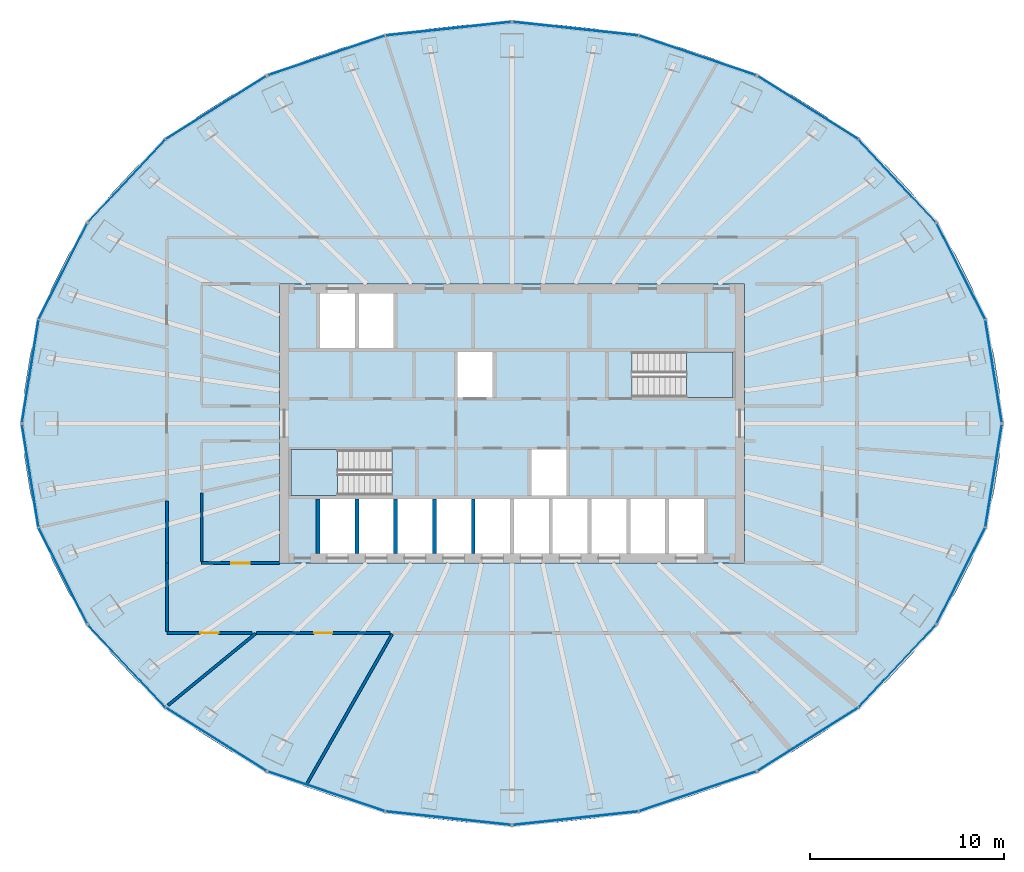
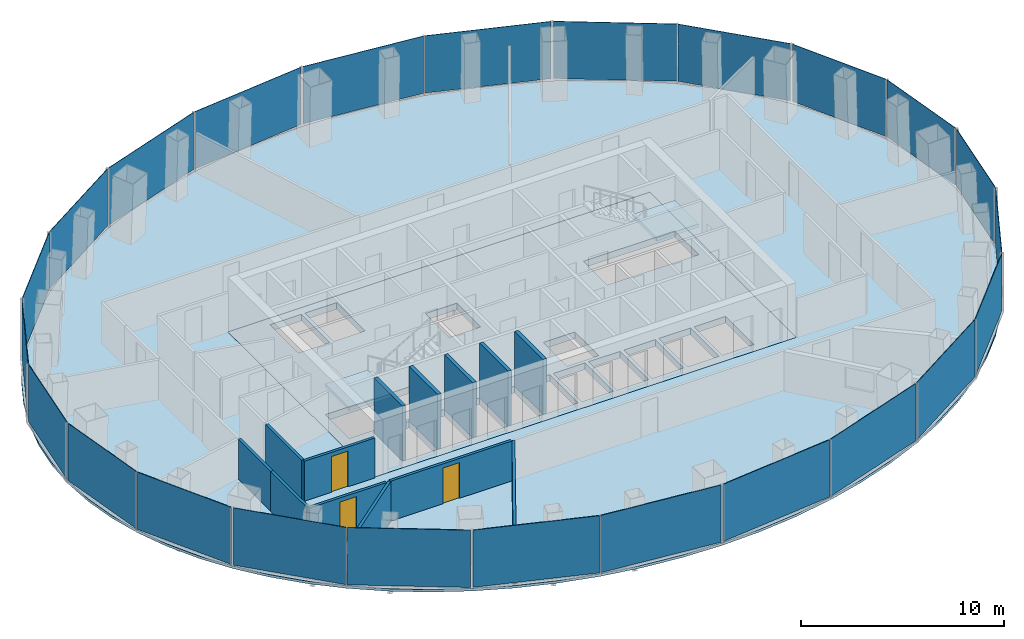
# One storey, part 7 of 11: 24 plates, 13 walls, 4 slabs, 3 doors, 3 openings, 14 elements without a shape of their own.
"""IFC4 building model written with IfcOpenShell, lengths in metres."""

from ifc_helpers import new_model, si_unit, direction, frame, frame_2d, origin, origin_2d, place, context, subcontext, project, spatial, polyline, rectangle, outline, extrude, material, layer, layer_set, type_object, element, fill, aggregate, save


model = new_model("IFC4")

# Units and contexts
model_context = context("Model", 3, precision=1e-05, world=origin(), true_north=direction((0.0, 1.0)))
body_context = subcontext(model_context, "Body", "Model", "MODEL_VIEW")
ifc_project = project(units=[si_unit("LENGTHUNIT", "METRE"), si_unit("AREAUNIT", "SQUARE_METRE"), si_unit("VOLUMEUNIT", "CUBIC_METRE"), si_unit("PLANEANGLEUNIT", "RADIAN"), si_unit("MASSUNIT", "GRAM", prefix="KILO")], contexts=[model_context])

# Site, building, storey
site_placement = place(None, origin())
site = spatial("IfcSite", under=ifc_project, at=site_placement, CompositionType="ELEMENT")
building_placement = place(site_placement, origin())
building = spatial("IfcBuilding", under=site, at=building_placement, Name="Siaravel Broadcast Tower", CompositionType="ELEMENT")
storey_placement = place(building_placement, frame((0.0, 0.0, 126.699951171875)))
storey = spatial("IfcBuildingStorey", under=building, at=storey_placement, Name="L30", CompositionType="ELEMENT", Elevation=126.699951171875)

# Curtain wall, plates
ifc_material_1 = material(Name="Aluminium 6063-T6", Category="aluminium")
ifc_layer_1 = layer(ifc_material_1, 0.199951171875)
ifc_layer_set_1 = layer_set([ifc_layer_1], Name="Aluminium 6063-T6")
curtain_wall_type = type_object("IfcCurtainWallType", Name="Unitised curtain wall, zone 2", PredefinedType="NOTDEFINED", material=ifc_layer_set_1)
curtain_wall_1_placement = place(storey_placement, origin())
curtain_wall_1 = element("IfcCurtainWall", 1, at=curtain_wall_1_placement, inside=storey, type_object=curtain_wall_type, Name="L30 Unitised curtain wall, zone 2 01", PredefinedType="NOTDEFINED")
ifc_material_2 = material(Name="Tinted laminated glass", Category="glass")
ifc_layer_2 = layer(ifc_material_2, 0.030029296875)
ifc_layer_set_2 = layer_set([ifc_layer_2], Name="Tinted laminated glass")
plate_type = type_object("IfcPlateType", Name="CW-Z2 glass panel", PredefinedType="CURTAIN_PANEL", material=ifc_layer_set_2)
plate_1_placement = place(storey_placement, frame((24.837646484375, 2.697265625, 0.110107421875), z_axis=(0.0, 0.0, 1.0), x_axis=(-0.158685611, 0.987329163, 0.0)))
plate_1 = element("IfcPlate", 2, at=plate_1_placement, type_object=plate_type, Name="CW-Z2 glass panel", PredefinedType="CURTAIN_PANEL", context=body_context, shape_type="SweptSolid", body=[
    extrude(rectangle(XDim=5.333740234375, YDim=0.030029296875, at=origin_2d()), origin(), (0.0, 0.0, 1.0), 3.43994140625),
])
plate_2_placement = place(storey_placement, frame((23.1533203125, 7.845947265625, 0.110107421875), z_axis=(0.0, 0.0, 1.0), x_axis=(-0.451261073, 0.892391979, 0.0)))
plate_2 = element("IfcPlate", 3, at=plate_2_placement, type_object=plate_type, Name="CW-Z2 glass panel", PredefinedType="CURTAIN_PANEL", context=body_context, shape_type="SweptSolid", body=[
    extrude(rectangle(XDim=5.500732421875, YDim=0.030029296875, at=origin_2d()), origin(), (0.0, 0.0, 1.0), 3.43994140625),
])
aggregate(curtain_wall_1, [plate_1, plate_2])

curtain_wall_2_placement = place(storey_placement, origin())
curtain_wall_2 = element("IfcCurtainWall", 4, at=curtain_wall_2_placement, inside=storey, type_object=curtain_wall_type, Name="L30 Unitised curtain wall, zone 2 02", PredefinedType="NOTDEFINED")
plate_3_placement = place(storey_placement, frame((19.86328125, 12.514404296875, 0.110107421875), z_axis=(0.0, 0.0, 1.0), x_axis=(-0.683655256, 0.729805105, 0.0)))
plate_3 = element("IfcPlate", 5, at=plate_3_placement, type_object=plate_type, Name="CW-Z2 glass panel", PredefinedType="CURTAIN_PANEL", context=body_context, shape_type="SweptSolid", body=[
    extrude(rectangle(XDim=5.77880859375, YDim=0.030029296875, at=origin_2d()), origin(), (0.0, 0.0, 1.0), 3.43994140625),
])
plate_4_placement = place(storey_placement, frame((15.2626953125, 16.282958984375, 0.110107421875), z_axis=(0.0, 0.0, 1.0), x_axis=(-0.846650632, 0.532149141, 0.0)))
plate_4 = element("IfcPlate", 6, at=plate_4_placement, type_object=plate_type, Name="CW-Z2 glass panel", PredefinedType="CURTAIN_PANEL", context=body_context, shape_type="SweptSolid", body=[
    extrude(rectangle(XDim=6.084228515625, YDim=0.030029296875, at=origin_2d()), origin(), (0.0, 0.0, 1.0), 3.43994140625),
])
aggregate(curtain_wall_2, [plate_3, plate_4])

curtain_wall_3_placement = place(storey_placement, origin())
curtain_wall_3 = element("IfcCurtainWall", 7, at=curtain_wall_3_placement, inside=storey, type_object=curtain_wall_type, Name="L30 Unitised curtain wall, zone 2 03", PredefinedType="NOTDEFINED")
plate_5_placement = place(storey_placement, frame((9.56982421875, 18.975341796875, 0.110107421875), z_axis=(0.0, 0.0, 1.0), x_axis=(-0.946977258, 0.321300596, 0.0)))
plate_5 = element("IfcPlate", 8, at=plate_5_placement, type_object=plate_type, Name="CW-Z2 glass panel", PredefinedType="CURTAIN_PANEL", context=body_context, shape_type="SweptSolid", body=[
    extrude(rectangle(XDim=6.337158203125, YDim=0.030029296875, at=origin_2d()), origin(), (0.0, 0.0, 1.0), 3.43994140625),
])
plate_6_placement = place(storey_placement, frame((3.285400390625, 20.3544921875, 0.110107421875), z_axis=(0.0, 0.0, 1.0), x_axis=(-0.994235591, 0.107217485, 0.0)))
plate_6 = element("IfcPlate", 9, at=plate_6_placement, type_object=plate_type, Name="CW-Z2 glass panel", PredefinedType="CURTAIN_PANEL", context=body_context, shape_type="SweptSolid", body=[
    extrude(rectangle(XDim=6.478759765625, YDim=0.030029296875, at=origin_2d()), origin(), (0.0, 0.0, 1.0), 3.43994140625),
])
aggregate(curtain_wall_3, [plate_5, plate_6])

curtain_wall_4_placement = place(storey_placement, origin())
curtain_wall_4 = element("IfcCurtainWall", 10, at=curtain_wall_4_placement, inside=storey, type_object=curtain_wall_type, Name="L30 Unitised curtain wall, zone 2 04", PredefinedType="NOTDEFINED")
plate_7_placement = place(storey_placement, frame((-3.285400390625, 20.3544921875, 0.110107421875), z_axis=(0.0, 0.0, 1.0), x_axis=(-0.994235591, -0.107217485, 0.0)))
plate_7 = element("IfcPlate", 11, at=plate_7_placement, type_object=plate_type, Name="CW-Z2 glass panel", PredefinedType="CURTAIN_PANEL", context=body_context, shape_type="SweptSolid", body=[
    extrude(rectangle(XDim=6.478759765625, YDim=0.030029296875, at=origin_2d()), origin(), (0.0, 0.0, 1.0), 3.43994140625),
])
plate_8_placement = place(storey_placement, frame((-9.56982421875, 18.975341796875, 0.110107421875), z_axis=(0.0, 0.0, 1.0), x_axis=(-0.946977258, -0.321300596, 0.0)))
plate_8 = element("IfcPlate", 12, at=plate_8_placement, type_object=plate_type, Name="CW-Z2 glass panel", PredefinedType="CURTAIN_PANEL", context=body_context, shape_type="SweptSolid", body=[
    extrude(rectangle(XDim=6.337158203125, YDim=0.030029296875, at=origin_2d()), origin(), (0.0, 0.0, 1.0), 3.43994140625),
])
aggregate(curtain_wall_4, [plate_7, plate_8])

curtain_wall_5_placement = place(storey_placement, origin())
curtain_wall_5 = element("IfcCurtainWall", 13, at=curtain_wall_5_placement, inside=storey, type_object=curtain_wall_type, Name="L30 Unitised curtain wall, zone 2 05", PredefinedType="NOTDEFINED")
plate_9_placement = place(storey_placement, frame((-15.2626953125, 16.282958984375, 0.110107421875), z_axis=(0.0, 0.0, 1.0), x_axis=(-0.846650632, -0.532149141, 0.0)))
plate_9 = element("IfcPlate", 14, at=plate_9_placement, type_object=plate_type, Name="CW-Z2 glass panel", PredefinedType="CURTAIN_PANEL", context=body_context, shape_type="SweptSolid", body=[
    extrude(rectangle(XDim=6.084228515625, YDim=0.030029296875, at=origin_2d()), origin(), (0.0, 0.0, 1.0), 3.43994140625),
])
plate_10_placement = place(storey_placement, frame((-19.86328125, 12.514404296875, 0.110107421875), z_axis=(0.0, 0.0, 1.0), x_axis=(-0.683655256, -0.729805105, 0.0)))
plate_10 = element("IfcPlate", 15, at=plate_10_placement, type_object=plate_type, Name="CW-Z2 glass panel", PredefinedType="CURTAIN_PANEL", context=body_context, shape_type="SweptSolid", body=[
    extrude(rectangle(XDim=5.77880859375, YDim=0.030029296875, at=origin_2d()), origin(), (0.0, 0.0, 1.0), 3.43994140625),
])
aggregate(curtain_wall_5, [plate_9, plate_10])

curtain_wall_6_placement = place(storey_placement, origin())
curtain_wall_6 = element("IfcCurtainWall", 16, at=curtain_wall_6_placement, inside=storey, type_object=curtain_wall_type, Name="L30 Unitised curtain wall, zone 2 06", PredefinedType="NOTDEFINED")
plate_11_placement = place(storey_placement, frame((-23.1533203125, 7.845947265625, 0.110107421875), z_axis=(0.0, 0.0, 1.0), x_axis=(-0.451261073, -0.892391979, 0.0)))
plate_11 = element("IfcPlate", 17, at=plate_11_placement, type_object=plate_type, Name="CW-Z2 glass panel", PredefinedType="CURTAIN_PANEL", context=body_context, shape_type="SweptSolid", body=[
    extrude(rectangle(XDim=5.500732421875, YDim=0.030029296875, at=origin_2d()), origin(), (0.0, 0.0, 1.0), 3.43994140625),
])
plate_12_placement = place(storey_placement, frame((-24.837646484375, 2.697265625, 0.110107421875), z_axis=(0.0, 0.0, 1.0), x_axis=(-0.158685611, -0.987329163, 0.0)))
plate_12 = element("IfcPlate", 18, at=plate_12_placement, type_object=plate_type, Name="CW-Z2 glass panel", PredefinedType="CURTAIN_PANEL", context=body_context, shape_type="SweptSolid", body=[
    extrude(rectangle(XDim=5.333740234375, YDim=0.030029296875, at=origin_2d()), origin(), (0.0, 0.0, 1.0), 3.43994140625),
])
aggregate(curtain_wall_6, [plate_11, plate_12])

curtain_wall_7_placement = place(storey_placement, origin())
curtain_wall_7 = element("IfcCurtainWall", 19, at=curtain_wall_7_placement, inside=storey, type_object=curtain_wall_type, Name="L30 Unitised curtain wall, zone 2 07", PredefinedType="NOTDEFINED")
plate_13_placement = place(storey_placement, frame((-24.837646484375, -2.697265625, 0.110107421875), z_axis=(0.0, 0.0, 1.0), x_axis=(0.158685611, -0.987329163, 0.0)))
plate_13 = element("IfcPlate", 20, at=plate_13_placement, type_object=plate_type, Name="CW-Z2 glass panel", PredefinedType="CURTAIN_PANEL", context=body_context, shape_type="SweptSolid", body=[
    extrude(rectangle(XDim=5.333740234375, YDim=0.030029296875, at=origin_2d()), origin(), (0.0, 0.0, 1.0), 3.43994140625),
])
plate_14_placement = place(storey_placement, frame((-23.1533203125, -7.845947265625, 0.110107421875), z_axis=(0.0, 0.0, 1.0), x_axis=(0.451261073, -0.892391979, 0.0)))
plate_14 = element("IfcPlate", 21, at=plate_14_placement, type_object=plate_type, Name="CW-Z2 glass panel", PredefinedType="CURTAIN_PANEL", context=body_context, shape_type="SweptSolid", body=[
    extrude(rectangle(XDim=5.500732421875, YDim=0.030029296875, at=origin_2d()), origin(), (0.0, 0.0, 1.0), 3.43994140625),
])
aggregate(curtain_wall_7, [plate_13, plate_14])

curtain_wall_8_placement = place(storey_placement, origin())
curtain_wall_8 = element("IfcCurtainWall", 22, at=curtain_wall_8_placement, inside=storey, type_object=curtain_wall_type, Name="L30 Unitised curtain wall, zone 2 08", PredefinedType="NOTDEFINED")
plate_15_placement = place(storey_placement, frame((-19.86328125, -12.514404296875, 0.110107421875), z_axis=(0.0, 0.0, 1.0), x_axis=(0.683655256, -0.729805105, 0.0)))
plate_15 = element("IfcPlate", 23, at=plate_15_placement, type_object=plate_type, Name="CW-Z2 glass panel", PredefinedType="CURTAIN_PANEL", context=body_context, shape_type="SweptSolid", body=[
    extrude(rectangle(XDim=5.77880859375, YDim=0.030029296875, at=origin_2d()), origin(), (0.0, 0.0, 1.0), 3.43994140625),
])
plate_16_placement = place(storey_placement, frame((-15.2626953125, -16.282958984375, 0.110107421875), z_axis=(0.0, 0.0, 1.0), x_axis=(0.846650632, -0.532149141, 0.0)))
plate_16 = element("IfcPlate", 24, at=plate_16_placement, type_object=plate_type, Name="CW-Z2 glass panel", PredefinedType="CURTAIN_PANEL", context=body_context, shape_type="SweptSolid", body=[
    extrude(rectangle(XDim=6.084228515625, YDim=0.030029296875, at=origin_2d()), origin(), (0.0, 0.0, 1.0), 3.43994140625),
])
aggregate(curtain_wall_8, [plate_15, plate_16])

curtain_wall_9_placement = place(storey_placement, origin())
curtain_wall_9 = element("IfcCurtainWall", 25, at=curtain_wall_9_placement, inside=storey, type_object=curtain_wall_type, Name="L30 Unitised curtain wall, zone 2 09", PredefinedType="NOTDEFINED")
plate_17_placement = place(storey_placement, frame((-9.56982421875, -18.975341796875, 0.110107421875), z_axis=(0.0, 0.0, 1.0), x_axis=(0.946977258, -0.321300596, 0.0)))
plate_17 = element("IfcPlate", 26, at=plate_17_placement, type_object=plate_type, Name="CW-Z2 glass panel", PredefinedType="CURTAIN_PANEL", context=body_context, shape_type="SweptSolid", body=[
    extrude(rectangle(XDim=6.337158203125, YDim=0.030029296875, at=origin_2d()), origin(), (0.0, 0.0, 1.0), 3.43994140625),
])
plate_18_placement = place(storey_placement, frame((-3.285400390625, -20.3544921875, 0.110107421875), z_axis=(0.0, 0.0, 1.0), x_axis=(0.994235591, -0.107217485, 0.0)))
plate_18 = element("IfcPlate", 27, at=plate_18_placement, type_object=plate_type, Name="CW-Z2 glass panel", PredefinedType="CURTAIN_PANEL", context=body_context, shape_type="SweptSolid", body=[
    extrude(rectangle(XDim=6.478759765625, YDim=0.030029296875, at=origin_2d()), origin(), (0.0, 0.0, 1.0), 3.43994140625),
])
aggregate(curtain_wall_9, [plate_17, plate_18])

curtain_wall_10_placement = place(storey_placement, origin())
curtain_wall_10 = element("IfcCurtainWall", 28, at=curtain_wall_10_placement, inside=storey, type_object=curtain_wall_type, Name="L30 Unitised curtain wall, zone 2 10", PredefinedType="NOTDEFINED")
plate_19_placement = place(storey_placement, frame((3.285400390625, -20.3544921875, 0.110107421875), z_axis=(0.0, 0.0, 1.0), x_axis=(0.994235591, 0.107217485, 0.0)))
plate_19 = element("IfcPlate", 29, at=plate_19_placement, type_object=plate_type, Name="CW-Z2 glass panel", PredefinedType="CURTAIN_PANEL", context=body_context, shape_type="SweptSolid", body=[
    extrude(rectangle(XDim=6.478759765625, YDim=0.030029296875, at=origin_2d()), origin(), (0.0, 0.0, 1.0), 3.43994140625),
])
plate_20_placement = place(storey_placement, frame((9.56982421875, -18.975341796875, 0.110107421875), z_axis=(0.0, 0.0, 1.0), x_axis=(0.946977258, 0.321300596, 0.0)))
plate_20 = element("IfcPlate", 30, at=plate_20_placement, type_object=plate_type, Name="CW-Z2 glass panel", PredefinedType="CURTAIN_PANEL", context=body_context, shape_type="SweptSolid", body=[
    extrude(rectangle(XDim=6.337158203125, YDim=0.030029296875, at=origin_2d()), origin(), (0.0, 0.0, 1.0), 3.43994140625),
])
aggregate(curtain_wall_10, [plate_19, plate_20])

curtain_wall_11_placement = place(storey_placement, origin())
curtain_wall_11 = element("IfcCurtainWall", 31, at=curtain_wall_11_placement, inside=storey, type_object=curtain_wall_type, Name="L30 Unitised curtain wall, zone 2 11", PredefinedType="NOTDEFINED")
plate_21_placement = place(storey_placement, frame((15.2626953125, -16.282958984375, 0.110107421875), z_axis=(0.0, 0.0, 1.0), x_axis=(0.846650632, 0.532149141, 0.0)))
plate_21 = element("IfcPlate", 32, at=plate_21_placement, type_object=plate_type, Name="CW-Z2 glass panel", PredefinedType="CURTAIN_PANEL", context=body_context, shape_type="SweptSolid", body=[
    extrude(rectangle(XDim=6.084228515625, YDim=0.030029296875, at=origin_2d()), origin(), (0.0, 0.0, 1.0), 3.43994140625),
])
plate_22_placement = place(storey_placement, frame((19.86328125, -12.514404296875, 0.110107421875), z_axis=(0.0, 0.0, 1.0), x_axis=(0.683655256, 0.729805105, 0.0)))
plate_22 = element("IfcPlate", 33, at=plate_22_placement, type_object=plate_type, Name="CW-Z2 glass panel", PredefinedType="CURTAIN_PANEL", context=body_context, shape_type="SweptSolid", body=[
    extrude(rectangle(XDim=5.77880859375, YDim=0.030029296875, at=origin_2d()), origin(), (0.0, 0.0, 1.0), 3.43994140625),
])
aggregate(curtain_wall_11, [plate_21, plate_22])

curtain_wall_12_placement = place(storey_placement, origin())
curtain_wall_12 = element("IfcCurtainWall", 34, at=curtain_wall_12_placement, inside=storey, type_object=curtain_wall_type, Name="L30 Unitised curtain wall, zone 2 12", PredefinedType="NOTDEFINED")
plate_23_placement = place(storey_placement, frame((23.1533203125, -7.845947265625, 0.110107421875), z_axis=(0.0, 0.0, 1.0), x_axis=(0.451261073, 0.892391979, 0.0)))
plate_23 = element("IfcPlate", 35, at=plate_23_placement, type_object=plate_type, Name="CW-Z2 glass panel", PredefinedType="CURTAIN_PANEL", context=body_context, shape_type="SweptSolid", body=[
    extrude(rectangle(XDim=5.500732421875, YDim=0.030029296875, at=origin_2d()), origin(), (0.0, 0.0, 1.0), 3.43994140625),
])
plate_24_placement = place(storey_placement, frame((24.837646484375, -2.697265625, 0.110107421875), z_axis=(0.0, 0.0, 1.0), x_axis=(0.158685611, 0.987329163, 0.0)))
plate_24 = element("IfcPlate", 36, at=plate_24_placement, type_object=plate_type, Name="CW-Z2 glass panel", PredefinedType="CURTAIN_PANEL", context=body_context, shape_type="SweptSolid", body=[
    extrude(rectangle(XDim=5.333740234375, YDim=0.030029296875, at=origin_2d()), origin(), (0.0, 0.0, 1.0), 3.43994140625),
])
aggregate(curtain_wall_12, [plate_23, plate_24])

# Slabs
ifc_material_3 = material(Name="Concrete C40/50", Category="concrete")
ifc_layer_3 = layer(ifc_material_3, 0.39990234375)
ifc_layer_set_3 = layer_set([ifc_layer_3], Name="Concrete C40/50")
slab_type_1 = type_object("IfcSlabType", Name="Core floor slab 400", PredefinedType="FLOOR", material=ifc_layer_set_3)
slab_1_placement = place(storey_placement, frame((0.0, 0.0, -0.39990234375)))
element("IfcSlab", 37, at=slab_1_placement, inside=storey, type_object=slab_type_1, Name="L30 core floor", PredefinedType="FLOOR", context=body_context, shape_type="SweptSolid", body=[
    extrude(outline(polyline([(-12.0, -7.199951171875), (-12.0, 7.199951171875), (12.0, 7.199951171875), (12.0, -7.199951171875), (-12.0, -7.199951171875)]), holes=[polyline([(11.3994140625, 1.3505859375), (11.3994140625, 3.699462890625), (6.200439453125, 3.699462890625), (6.200439453125, 1.3505859375), (11.3994140625, 1.3505859375)]), polyline([(9.89990234375, -3.89990234375), (8.10009765625, -3.89990234375), (8.10009765625, -6.699951171875), (9.89990234375, -6.699951171875), (9.89990234375, -3.89990234375)]), polyline([(7.89990234375, -3.89990234375), (6.10009765625, -3.89990234375), (6.10009765625, -6.699951171875), (7.89990234375, -6.699951171875), (7.89990234375, -3.89990234375)]), polyline([(5.89990234375, -3.89990234375), (4.10009765625, -3.89990234375), (4.10009765625, -6.699951171875), (5.89990234375, -6.699951171875), (5.89990234375, -3.89990234375)]), polyline([(3.89990234375, -3.89990234375), (2.10009765625, -3.89990234375), (2.10009765625, -6.699951171875), (3.89990234375, -6.699951171875), (3.89990234375, -3.89990234375)]), polyline([(2.800048828125, -1.35009765625), (1.0, -1.35009765625), (1.0, -3.699951171875), (2.800048828125, -3.699951171875), (2.800048828125, -1.35009765625)]), polyline([(1.89990234375, -3.89990234375), (0.10009765625, -3.89990234375), (0.10009765625, -6.699951171875), (1.89990234375, -6.699951171875), (1.89990234375, -3.89990234375)]), polyline([(-0.10009765625, -3.89990234375), (-1.89990234375, -3.89990234375), (-1.89990234375, -6.699951171875), (-0.10009765625, -6.699951171875), (-0.10009765625, -3.89990234375)]), polyline([(-1.0, 3.699951171875), (-2.800048828125, 3.699951171875), (-2.800048828125, 1.35009765625), (-1.0, 1.35009765625), (-1.0, 3.699951171875)]), polyline([(-2.10009765625, -3.89990234375), (-3.89990234375, -3.89990234375), (-3.89990234375, -6.699951171875), (-2.10009765625, -6.699951171875), (-2.10009765625, -3.89990234375)]), polyline([(-4.10009765625, -3.89990234375), (-5.89990234375, -3.89990234375), (-5.89990234375, -6.699951171875), (-4.10009765625, -6.699951171875), (-4.10009765625, -3.89990234375)]), polyline([(-6.10009765625, -3.89990234375), (-7.89990234375, -3.89990234375), (-7.89990234375, -6.699951171875), (-6.10009765625, -6.699951171875), (-6.10009765625, -3.89990234375)]), polyline([(-6.10009765625, 6.699951171875), (-7.89990234375, 6.699951171875), (-7.89990234375, 3.89990234375), (-6.10009765625, 3.89990234375), (-6.10009765625, 6.699951171875)]), polyline([(-11.3994140625, -1.3505859375), (-11.3994140625, -3.699462890625), (-6.200439453125, -3.699462890625), (-6.200439453125, -1.3505859375), (-11.3994140625, -1.3505859375)]), polyline([(-8.10009765625, -3.89990234375), (-9.89990234375, -3.89990234375), (-9.89990234375, -6.699951171875), (-8.10009765625, -6.699951171875), (-8.10009765625, -3.89990234375)]), polyline([(-8.10009765625, 6.699951171875), (-9.89990234375, 6.699951171875), (-9.89990234375, 3.89990234375), (-8.10009765625, 3.89990234375), (-8.10009765625, 6.699951171875)])]), origin(), (0.0, 0.0, 1.0), 0.39990234375),
])
ifc_layer_4 = layer(ifc_material_3, 0.14990234375)
ifc_layer_set_4 = layer_set([ifc_layer_4], Name="Concrete C40/50")
slab_type_2 = type_object("IfcSlabType", Name="SLB-FLOOR-150", PredefinedType="FLOOR", material=ifc_layer_set_4)
slab_2_placement = place(storey_placement, frame((0.0, 0.0, -0.14990234375)))
element("IfcSlab", 38, at=slab_2_placement, inside=storey, type_object=slab_type_2, Name="Floor slab", PredefinedType="FLOOR", context=body_context, shape_type="SweptSolid", body=[
    extrude(outline(polyline([(25.22119140625, 0.0), (25.125, 1.800537109375), (24.837890625, 3.58740234375), (24.36181640625, 5.346923828125), (23.7001953125, 7.06591796875), (22.858154296875, 8.730712890625), (21.842041015625, 10.329345703125), (20.659912109375, 11.849609375), (19.320556640625, 13.279296875), (17.833984375, 14.60791015625), (16.2119140625, 15.82568359375), (14.46630859375, 16.9228515625), (12.610595703125, 17.89111328125), (10.658935546875, 18.723388671875), (8.626220703125, 19.4130859375), (6.527587890625, 19.955078125), (4.379638671875, 20.344970703125), (2.1982421875, 20.580322265625), (0.0, 20.658935546875), (-2.1982421875, 20.580322265625), (-4.379638671875, 20.344970703125), (-6.527587890625, 19.955078125), (-8.626220703125, 19.4130859375), (-10.658935546875, 18.723388671875), (-12.610595703125, 17.89111328125), (-14.46630859375, 16.9228515625), (-16.2119140625, 15.82568359375), (-17.833984375, 14.60791015625), (-19.320556640625, 13.279296875), (-20.659912109375, 11.849609375), (-21.842041015625, 10.329345703125), (-22.858154296875, 8.730712890625), (-23.7001953125, 7.06591796875), (-24.36181640625, 5.346923828125), (-24.837890625, 3.58740234375), (-25.125, 1.800537109375), (-25.22119140625, 0.0), (-25.125, -1.800537109375), (-24.837890625, -3.58740234375), (-24.36181640625, -5.346923828125), (-23.7001953125, -7.06591796875), (-22.858154296875, -8.730712890625), (-21.842041015625, -10.32958984375), (-20.659912109375, -11.849609375), (-19.320556640625, -13.279296875), (-17.833984375, -14.60791015625), (-16.2119140625, -15.82568359375), (-14.46630859375, -16.9228515625), (-12.610595703125, -17.89111328125), (-10.658935546875, -18.723388671875), (-8.626220703125, -19.4130859375), (-6.527587890625, -19.955078125), (-4.379638671875, -20.344970703125), (-2.1982421875, -20.580322265625), (0.0, -20.658935546875), (2.1982421875, -20.580322265625), (4.379638671875, -20.344970703125), (6.527587890625, -19.955078125), (8.626220703125, -19.4130859375), (10.658935546875, -18.723388671875), (12.610595703125, -17.89111328125), (14.46630859375, -16.9228515625), (16.2119140625, -15.82568359375), (17.833984375, -14.60791015625), (19.320556640625, -13.279296875), (20.659912109375, -11.849609375), (21.842041015625, -10.32958984375), (22.858154296875, -8.730712890625), (23.7001953125, -7.06591796875), (24.36181640625, -5.346923828125), (24.837890625, -3.58740234375), (25.125, -1.800537109375), (25.22119140625, 0.0)]), holes=[polyline([(-12.0, 7.199951171875), (12.0, 7.199951171875), (12.0, -7.199951171875), (-12.0, -7.199951171875), (-12.0, 7.199951171875)])]), origin(), (0.0, 0.0, 1.0), 0.14990234375),
])

# Stair, slab
stair_type = type_object("IfcStairType", Name="Core exit stair", PredefinedType="HALF_TURN_STAIR", material=ifc_material_3)
stair_1_placement = place(storey_placement, origin())
stair_1 = element("IfcStair", 39, at=stair_1_placement, inside=storey, type_object=stair_type, Name="L30 Exit stair ST-1", PredefinedType="HALF_TURN_STAIR")
ifc_layer_5 = layer(ifc_material_3, 0.199951171875)
ifc_layer_set_5 = layer_set([ifc_layer_5], Name="Concrete C40/50")
slab_type_3 = type_object("IfcSlabType", Name="Stair landing", PredefinedType="LANDING", material=ifc_layer_set_5)
slab_3_placement = place(storey_placement, frame((0.0, 0.0, 1.650146484375)))
slab_3 = element("IfcSlab", 40, at=slab_3_placement, type_object=slab_type_3, Name="ST-1 landing 1", PredefinedType="LANDING", context=body_context, shape_type="SweptSolid", body=[
    extrude(outline(polyline([(-9.0, -1.35009765625), (-11.39990234375, -1.35009765625), (-11.39990234375, -3.699951171875), (-9.0, -3.699951171875), (-9.0, -1.35009765625)])), origin(), (0.0, 0.0, 1.0), 0.199951171875),
])
aggregate(stair_1, [slab_3])

stair_2_placement = place(storey_placement, origin())
stair_2 = element("IfcStair", 41, at=stair_2_placement, inside=storey, type_object=stair_type, Name="L30 Exit stair ST-2", PredefinedType="HALF_TURN_STAIR")
slab_4_placement = place(storey_placement, frame((0.0, 0.0, 1.650146484375)))
slab_4 = element("IfcSlab", 42, at=slab_4_placement, type_object=slab_type_3, Name="ST-2 landing 1", PredefinedType="LANDING", context=body_context, shape_type="SweptSolid", body=[
    extrude(outline(polyline([(9.0, 1.35009765625), (11.39990234375, 1.35009765625), (11.39990234375, 3.699951171875), (9.0, 3.699951171875), (9.0, 1.35009765625)])), origin(), (0.0, 0.0, 1.0), 0.199951171875),
])
aggregate(stair_2, [slab_4])

# Wall, opening, door
ifc_material_4 = material(Name="Gypsum board partition", Category="gypsum")
ifc_layer_6 = layer(ifc_material_4, 0.14990234375)
ifc_layer_set_6 = layer_set([ifc_layer_6], Name="Gypsum board partition")
wall_type_1 = type_object("IfcWallType", Name="Corridor wall 150", PredefinedType="PARTITIONING", material=ifc_layer_set_6)
wall_1_placement = place(storey_placement, frame((-13.18505859375, -10.800048828125, 0.0), z_axis=(0.0, 0.0, 1.0), x_axis=(1.0, 0.0, 0.0)))
wall_1 = element("IfcWall", 43, at=wall_1_placement, inside=storey, type_object=wall_type_1, Name="L30 partition 12", PredefinedType="PARTITIONING", context=body_context, shape_type="SweptSolid", body=[
    extrude(rectangle(XDim=6.90576171875, YDim=0.14990234375, at=frame_2d((3.452880859375, 0.0))), origin(), (0.0, 0.0, 1.0), 2.400146484375),
])
opening_1_placement = place(wall_1_placement, frame((2.977783203125, 0.0, 0.0)))
opening_1 = element("IfcOpeningElement", 44, at=opening_1_placement, cuts=wall_1, Name="Opening L30-015", PredefinedType="OPENING", context=body_context, shape_type="SweptSolid", body=[
    extrude(rectangle(XDim=0.949951171875, YDim=2.14990234375, at=frame_2d((0.47509765625, 1.074951171875))), frame((0.0, 0.0849609375, 0.0), z_axis=(0.0, -1.0, 0.0), x_axis=(1.0, 0.0, 0.0)), (0.0, 0.0, 1.0), 0.169921875),
])
ifc_material_5 = material(Name="Timber veneer", Category="wood")
door_type = type_object("IfcDoorType", Name="Office door 950", OperationType="SINGLE_SWING_LEFT", PredefinedType="DOOR", material=ifc_material_5)
door_1_placement = place(opening_1_placement, origin())
door_1 = element("IfcDoor", 45, at=door_1_placement, inside=storey, type_object=door_type, Name="L30 door to Production office", OperationType="SINGLE_SWING_LEFT", OverallHeight=2.14990234375, OverallWidth=0.949951171875, PredefinedType="DOOR", context=body_context, shape_type="SweptSolid", body=[
    extrude(rectangle(XDim=0.949951171875, YDim=2.14990234375, at=frame_2d((0.47509765625, 1.074951171875))), frame((0.0, 0.02490234375, 0.0), z_axis=(0.0, -1.0, 0.0), x_axis=(1.0, 0.0, 0.0)), (0.0, 0.0, 1.0), 0.050048828125),
])
fill(opening_1, door_1)

wall_2_placement = place(storey_placement, frame((-17.800048828125, -10.800048828125, 0.0), z_axis=(0.0, 0.0, 1.0), x_axis=(1.0, 0.0, 0.0)))
wall_2 = element("IfcWall", 46, at=wall_2_placement, inside=storey, type_object=wall_type_1, Name="L30 partition 20", PredefinedType="PARTITIONING", context=body_context, shape_type="SweptSolid", body=[
    extrude(rectangle(XDim=4.403076171875, YDim=0.14990234375, at=frame_2d((2.20166015625, 0.0))), origin(), (0.0, 0.0, 1.0), 2.400146484375),
])
opening_2_placement = place(wall_2_placement, frame((1.7265625, 0.0, 0.0)))
opening_2 = element("IfcOpeningElement", 47, at=opening_2_placement, cuts=wall_2, Name="Opening L30-013", PredefinedType="OPENING", context=body_context, shape_type="SweptSolid", body=[
    extrude(rectangle(XDim=0.949951171875, YDim=2.14990234375, at=frame_2d((0.47509765625, 1.074951171875))), frame((0.0, 0.0849609375, 0.0), z_axis=(0.0, -1.0, 0.0), x_axis=(1.0, 0.0, 0.0)), (0.0, 0.0, 1.0), 0.169921875),
])
door_2_placement = place(opening_2_placement, origin())
door_2 = element("IfcDoor", 48, at=door_2_placement, inside=storey, type_object=door_type, Name="L30 door to Design studio", OperationType="SINGLE_SWING_LEFT", OverallHeight=2.14990234375, OverallWidth=0.949951171875, PredefinedType="DOOR", context=body_context, shape_type="SweptSolid", body=[
    extrude(rectangle(XDim=0.949951171875, YDim=2.14990234375, at=frame_2d((0.47509765625, 1.074951171875))), frame((0.0, 0.02490234375, 0.0), z_axis=(0.0, -1.0, 0.0), x_axis=(1.0, 0.0, 0.0)), (0.0, 0.0, 1.0), 0.050048828125),
])
fill(opening_2, door_2)

wall_3_placement = place(storey_placement, frame((-12.0, -7.199951171875, 0.0), z_axis=(0.0, 0.0, 1.0), x_axis=(-1.0, 0.0, 0.0)))
wall_3 = element("IfcWall", 49, at=wall_3_placement, inside=storey, type_object=wall_type_1, Name="L30 partition 27", PredefinedType="PARTITIONING", context=body_context, shape_type="SweptSolid", body=[
    extrude(rectangle(XDim=4.0, YDim=0.14990234375, at=frame_2d((2.0, 0.0))), origin(), (0.0, 0.0, 1.0), 2.400146484375),
])
opening_3_placement = place(wall_3_placement, frame((1.52490234375, 0.0, 0.0)))
opening_3 = element("IfcOpeningElement", 50, at=opening_3_placement, cuts=wall_3, Name="Opening L30-014", PredefinedType="OPENING", context=body_context, shape_type="SweptSolid", body=[
    extrude(rectangle(XDim=0.949951171875, YDim=2.14990234375, at=frame_2d((0.47509765625, 1.074951171875))), frame((0.0, 0.0849609375, 0.0), z_axis=(0.0, -1.0, 0.0), x_axis=(1.0, 0.0, 0.0)), (0.0, 0.0, 1.0), 0.169921875),
])
door_3_placement = place(opening_3_placement, origin())
door_3 = element("IfcDoor", 51, at=door_3_placement, inside=storey, type_object=door_type, Name="L30 door to Design studio", OperationType="SINGLE_SWING_RIGHT", OverallHeight=2.14990234375, OverallWidth=0.949951171875, PredefinedType="DOOR", context=body_context, shape_type="SweptSolid", body=[
    extrude(rectangle(XDim=0.949951171875, YDim=2.14990234375, at=frame_2d((0.47509765625, 1.074951171875))), frame((0.0, 0.02490234375, 0.0), z_axis=(0.0, -1.0, 0.0), x_axis=(1.0, 0.0, 0.0)), (0.0, 0.0, 1.0), 0.050048828125),
])
fill(opening_3, door_3)

# Walls
wall_4_placement = place(storey_placement, frame((-16.0, -7.123046875, 0.0), z_axis=(0.0, 0.0, 1.0), x_axis=(0.0, 1.0, 0.0)))
element("IfcWall", 52, at=wall_4_placement, inside=storey, type_object=wall_type_1, Name="L30 partition 32", PredefinedType="PARTITIONING", context=body_context, shape_type="SweptSolid", body=[
    extrude(rectangle(XDim=3.5361328125, YDim=0.14990234375, at=frame_2d((1.76806640625, 0.0))), origin(), (0.0, 0.0, 1.0), 2.400146484375),
])
wall_5_placement = place(storey_placement, frame((-17.800048828125, -7.18798828125, 0.0), z_axis=(0.0, 0.0, 1.0), x_axis=(0.0, -1.0, 0.0)))
element("IfcWall", 53, at=wall_5_placement, inside=storey, type_object=wall_type_1, Name="L30 partition 34", PredefinedType="PARTITIONING", context=body_context, shape_type="SweptSolid", body=[
    extrude(rectangle(XDim=3.534912109375, YDim=0.14990234375, at=frame_2d((1.767578125, 0.0))), origin(), (0.0, 0.0, 1.0), 2.400146484375),
])
wall_6_placement = place(storey_placement, frame((-17.800048828125, -4.001953125, 0.0), z_axis=(0.0, 0.0, 1.0), x_axis=(0.0, -1.0, 0.0)))
element("IfcWall", 54, at=wall_6_placement, inside=storey, type_object=wall_type_1, Name="L30 partition 37", PredefinedType="PARTITIONING", context=body_context, shape_type="SweptSolid", body=[
    extrude(rectangle(XDim=3.18505859375, YDim=0.14990234375, at=frame_2d((1.592529296875, 0.0))), origin(), (0.0, 0.0, 1.0), 2.400146484375),
])
ifc_layer_7 = layer(ifc_material_4, 0.14990234375)
ifc_layer_set_7 = layer_set([ifc_layer_7], Name="Gypsum board partition")
wall_type_2 = type_object("IfcWallType", Name="Room partition 150", PredefinedType="PARTITIONING", material=ifc_layer_set_7)
wall_7_placement = place(storey_placement, frame((-10.598388671875, -18.6171875, 0.0), z_axis=(0.0, 0.0, 1.0), x_axis=(0.494736514, 0.869043026, 0.0)))
element("IfcWall", 55, at=wall_7_placement, inside=storey, type_object=wall_type_2, Name="L30 partition 6", PredefinedType="PARTITIONING", context=body_context, shape_type="SweptSolid", body=[
    extrude(rectangle(XDim=8.927978515625, YDim=0.14990234375, at=frame_2d((4.4638671875, 0.0))), origin(), (0.0, 0.0, 1.0), 2.400146484375),
])
wall_8_placement = place(storey_placement, frame((-17.738525390625, -14.52978515625, 0.0), z_axis=(0.0, 0.0, 1.0), x_axis=(0.773597481, 0.633677314, 0.0)))
element("IfcWall", 56, at=wall_8_placement, inside=storey, type_object=wall_type_2, Name="L30 partition 18", PredefinedType="PARTITIONING", context=body_context, shape_type="SweptSolid", body=[
    extrude(rectangle(XDim=5.83642578125, YDim=0.14990234375, at=frame_2d((2.918212890625, 0.0))), origin(), (0.0, 0.0, 1.0), 2.400146484375),
])
ifc_material_6 = material(Name="Concrete C60/75", Category="concrete")
ifc_layer_8 = layer(ifc_material_6, 0.199951171875)
ifc_layer_set_8 = layer_set([ifc_layer_8], Name="Concrete C60/75")
wall_type_3 = type_object("IfcWallType", Name="Shaft wall 200", PredefinedType="SHEAR", material=ifc_layer_set_8)
for number, where, z_axis, x_axis, name in (
    (57, (-10.0, -6.699951171875, 0.0), (0.0, 0.0, 1.0), (0.0, 1.0, 0.0), "L30 core wall SWS0"),
    (58, (-8.0, -6.699951171875, 0.0), (0.0, 0.0, 1.0), (0.0, 1.0, 0.0), "L30 core wall SWS1"),
    (59, (-6.0, -6.699951171875, 0.0), (0.0, 0.0, 1.0), (0.0, 1.0, 0.0), "L30 core wall SWS2"),
    (60, (-4.0, -6.699951171875, 0.0), (0.0, 0.0, 1.0), (0.0, 1.0, 0.0), "L30 core wall SWS3"),
    (61, (-2.0, -6.699951171875, 0.0), (0.0, 0.0, 1.0), (0.0, 1.0, 0.0), "L30 core wall SWS4"),
):
    element("IfcWall", number, at=place(storey_placement, frame(where, z_axis=z_axis, x_axis=x_axis)), inside=storey, type_object=wall_type_3, Name=name, PredefinedType="SHEAR", context=body_context, shape_type="SweptSolid", body=[
        extrude(rectangle(XDim=2.800048828125, YDim=0.199951171875, at=frame_2d((1.39990234375, 0.0))), origin(), (0.0, 0.0, 1.0), 3.300048828125),
    ])

save(model, "model.ifc")
